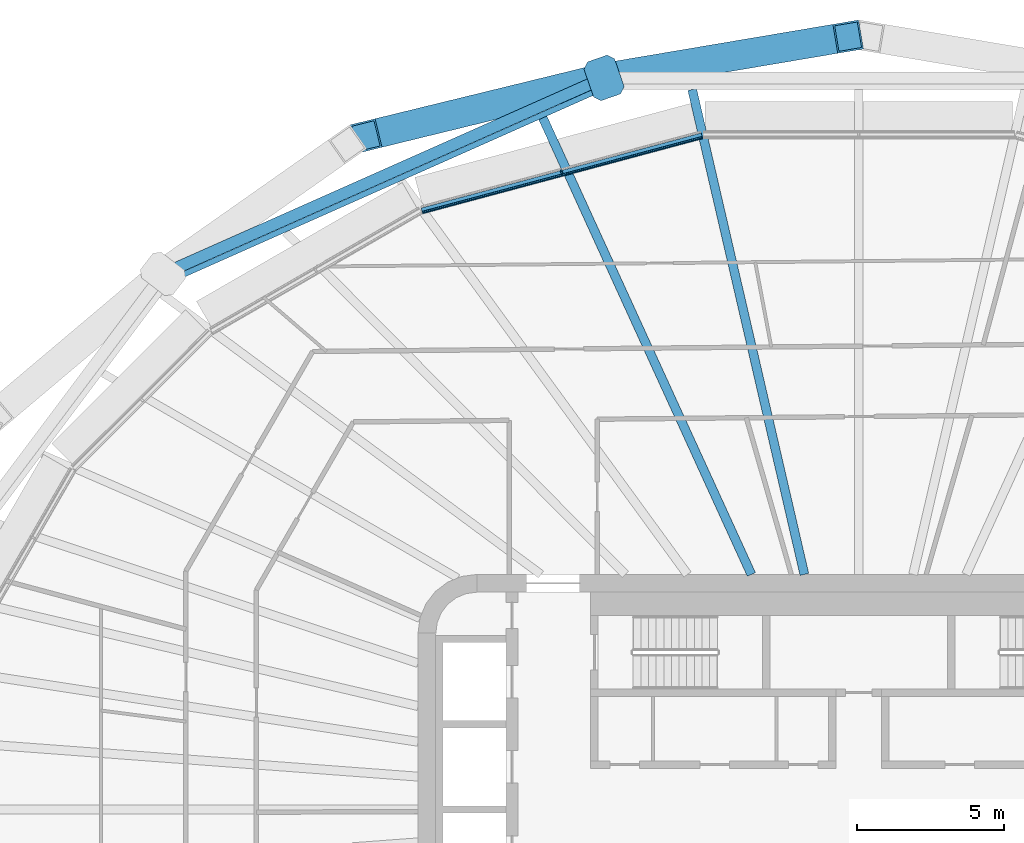
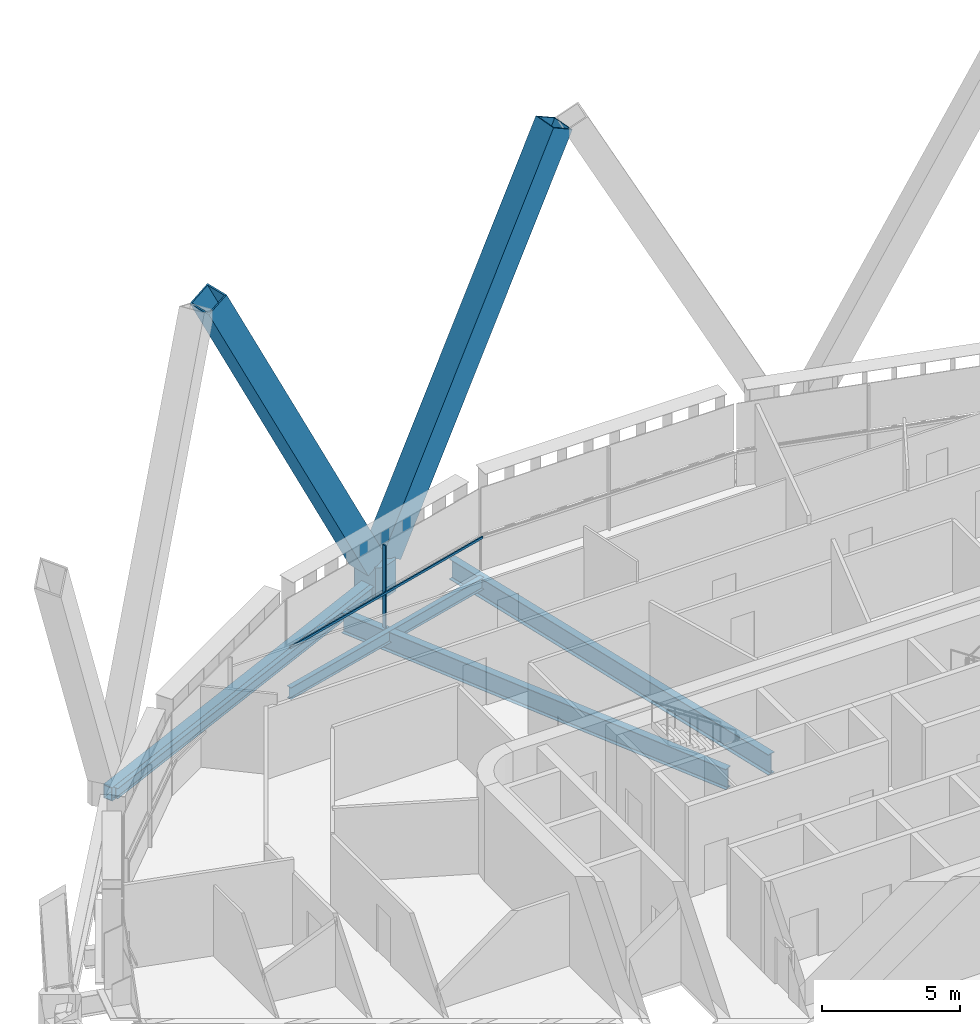
# One storey, part 8 of 25: 5 beams, 5 members, 1 element without a shape of its own.
"""IFC4 building model written with IfcOpenShell, lengths in metres."""

from ifc_helpers import new_model, si_unit, direction, frame, origin, origin_2d, place, context, subcontext, project, spatial, polyline, rectangle, hollow_rectangle, i_section, outline, extrude, material, layer, layer_set, material_profile, profile_set, type_object, element, aggregate, save


model = new_model("IFC4")

# Units and contexts
model_context = context("Model", 3, precision=1e-05, world=origin(), true_north=direction((0.0, 1.0)))
body_context = subcontext(model_context, "Body", "Model", "MODEL_VIEW")
ifc_project = project(units=[si_unit("LENGTHUNIT", "METRE"), si_unit("AREAUNIT", "SQUARE_METRE"), si_unit("VOLUMEUNIT", "CUBIC_METRE"), si_unit("PLANEANGLEUNIT", "RADIAN"), si_unit("MASSUNIT", "GRAM", prefix="KILO")], contexts=[model_context])

# Site, building, storey
site_placement = place(None, origin())
site = spatial("IfcSite", under=ifc_project, at=site_placement, CompositionType="ELEMENT")
building_placement = place(site_placement, origin())
building = spatial("IfcBuilding", under=site, at=building_placement, Name="Sahrelin Media Tower", CompositionType="ELEMENT")
storey_placement = place(building_placement, frame((0.0, 0.0, 63.0)))
storey = spatial("IfcBuildingStorey", under=building, at=storey_placement, Name="L10", CompositionType="ELEMENT", Elevation=63.0)

# Members
ifc_material_1 = material(Name="Steel S460", Category="steel")
ifc_material_profile_1 = material_profile(ifc_material_1, hollow_rectangle(XDim=1.0, YDim=1.0, WallThickness=0.06005859375, at=origin_2d()), Name="Diagrid diagonal DG1")
ifc_profile_set_1 = profile_set([ifc_material_profile_1], Name="Steel S460")
member_type_1 = type_object("IfcMemberType", Name="Diagrid diagonal DG1", PredefinedType="BRACE", material=ifc_profile_set_1)
member_1_placement = place(storey_placement, frame((-8.306640625, 24.960205078125, 0.699951171875), z_axis=(0.457140164592, 0.077255212944, 0.886033014052), x_axis=(-0.166633999123, 0.986018818449, 0.0)))
element("IfcMember", 1, at=member_1_placement, inside=storey, type_object=member_type_1, Name="Diagrid diagonal D01-06", PredefinedType="BRACE", context=body_context, shape_type="SweptSolid", body=[
    extrude(hollow_rectangle(XDim=1.0, YDim=1.0, WallThickness=0.06005859375, at=origin_2d()), origin(), (0.0, 0.0, 1.0), 17.381103515625),
])
member_2_placement = place(storey_placement, frame((-9.020263671875, 24.81298828125, 0.699951171875), z_axis=(-0.447007252146, -0.109235910573, 0.887835588592), x_axis=(0.237386385551, -0.971415309718, 0.0)))
element("IfcMember", 2, at=member_2_placement, inside=storey, type_object=member_type_1, Name="Diagrid diagonal D01-07", PredefinedType="BRACE", context=body_context, shape_type="SweptSolid", body=[
    extrude(hollow_rectangle(XDim=1.0, YDim=1.0, WallThickness=0.06005859375, at=origin_2d()), origin(), (0.0, 0.0, 1.0), 17.345703125),
])
ifc_material_profile_2 = material_profile(ifc_material_1, outline(polyline([(0.5, -0.550048828125), (0.699951171875, -0.35009765625), (0.699951171875, 0.35009765625), (0.5, 0.550048828125), (-0.5, 0.550048828125), (-0.699951171875, 0.35009765625), (-0.699951171875, -0.35009765625), (-0.5, -0.550048828125), (0.5, -0.550048828125)])), Name="Diagrid node block 1400")
ifc_profile_set_2 = profile_set([ifc_material_profile_2], Name="Steel S460")
member_type_2 = type_object("IfcMemberType", Name="Diagrid node block 1400", PredefinedType="USERDEFINED", material=ifc_profile_set_2)
member_3_placement = place(storey_placement, frame((-8.66796875, 24.899169921875, -0.699951171875), z_axis=(0.0, 0.0, 1.0), x_axis=(-0.328769398381, 0.944410230085, 0.0)))
element("IfcMember", 3, at=member_3_placement, inside=storey, type_object=member_type_2, Name="Diagrid node N01-03", ObjectType="NODE", PredefinedType="USERDEFINED", context=body_context, shape_type="SweptSolid", body=[
    extrude(outline(polyline([(0.5, -0.550048828125), (0.699951171875, -0.35009765625), (0.699951171875, 0.35009765625), (0.5, 0.550048828125), (-0.5, 0.550048828125), (-0.699951171875, 0.35009765625), (-0.699951171875, -0.35009765625), (-0.5, -0.550048828125), (0.5, -0.550048828125)])), origin(), (0.0, 0.0, 1.0), 1.39990234375),
])

# Beams
ifc_material_profile_3 = material_profile(ifc_material_1, hollow_rectangle(XDim=0.39990234375, YDim=0.60009765625, WallThickness=0.030029296875, at=origin_2d()), Name="Diagrid ring beam RB1")
ifc_profile_set_3 = profile_set([ifc_material_profile_3], Name="Steel S460")
beam_type_1 = type_object("IfcBeamType", Name="Diagrid ring beam RB1", PredefinedType="BEAM", material=ifc_profile_set_3)
beam_1_placement = place(storey_placement, frame((-8.66796875, 24.899169921875, -0.449951171875), z_axis=(-0.913826255234, -0.406105374558, 0.0), x_axis=(0.406105374558, -0.913826255234, 0.0)))
element("IfcBeam", 4, at=beam_1_placement, inside=storey, type_object=beam_type_1, Name="Diagrid ring beam RB01-03", PredefinedType="BEAM", context=body_context, shape_type="SweptSolid", body=[
    extrude(hollow_rectangle(XDim=0.39990234375, YDim=0.60009765625, WallThickness=0.030029296875, at=origin_2d()), origin(), (0.0, 0.0, 1.0), 16.428955078125),
])
ifc_material_2 = material(Name="Steel S355", Category="steel")
ifc_material_profile_4 = material_profile(ifc_material_2, i_section(OverallWidth=0.208740234375, OverallDepth=0.5283203125, WebThickness=0.009521484375, FlangeThickness=0.01318359375, FilletRadius=0.0126953125, at=origin_2d()), Name="UB 533x210x82")
ifc_profile_set_4 = profile_set([ifc_material_profile_4], Name="Steel S355")
beam_type_2 = type_object("IfcBeamType", Name="Edge beam EB6", PredefinedType="BEAM", material=ifc_profile_set_4)
beam_2_placement = place(storey_placement, frame((-14.86865234375, 20.368408203125, -0.4140625), z_axis=(0.965924759849, 0.258823025079, 0.0), x_axis=(-0.258823025079, 0.965924759849, 0.0)))
element("IfcBeam", 5, at=beam_2_placement, inside=storey, type_object=beam_type_2, Name="Edge beam L10-18", PredefinedType="BEAM", context=body_context, shape_type="SweptSolid", body=[
    extrude(i_section(OverallWidth=0.208740234375, OverallDepth=0.5283203125, WebThickness=0.009521484375, FlangeThickness=0.01318359375, FilletRadius=0.0126953125, at=origin_2d()), origin(), (0.0, 0.0, 1.0), 9.872314453125),
])

# Curtain wall, member
ifc_material_3 = material(Name="Champagne anodised aluminium 6063-T6", Category="aluminium")
ifc_layer = layer(ifc_material_3, 0.14990234375)
ifc_layer_set = layer_set([ifc_layer], Name="Tower ribbon curtain wall")
curtain_wall_type = type_object("IfcCurtainWallType", Name="Tower ribbon curtain wall", PredefinedType="NOTDEFINED", material=ifc_layer_set)
curtain_wall_placement = place(storey_placement, frame((-10.139404296875, 21.791015625, 0.0), z_axis=(0.0, 0.0, 1.0), x_axis=(1.0, 0.0, 0.0)))
curtain_wall = element("IfcCurtainWall", 6, at=curtain_wall_placement, inside=storey, type_object=curtain_wall_type, Name="L10:CW:L10-07", PredefinedType="NOTDEFINED")
ifc_material_profile_5 = material_profile(ifc_material_3, rectangle(XDim=0.06005859375, YDim=0.14990234375, at=origin_2d()), Name="Mullion 60x150")
ifc_profile_set_5 = profile_set([ifc_material_profile_5], Name="Champagne anodised aluminium 6063-T6")
member_type_3 = type_object("IfcMemberType", Name="Mullion 60x150 CW1", PredefinedType="MULLION", material=ifc_profile_set_5)
member_4_placement = place(storey_placement, frame((-10.114990234375, 21.69921875, 0.0), z_axis=(0.0, 0.0, 1.0), x_axis=(-0.965925374563, -0.258820730961, 0.0)))
member_4 = element("IfcMember", 7, at=member_4_placement, type_object=member_type_3, Name="L10:CWM:L10-07", PredefinedType="MULLION", context=body_context, shape_type="SweptSolid", body=[
    extrude(rectangle(XDim=0.06005859375, YDim=0.14990234375, at=origin_2d()), origin(), (0.0, 0.0, 1.0), 3.648681640625),
])

# Beams
ifc_material_profile_6 = material_profile(ifc_material_2, i_section(OverallWidth=0.30322265625, OverallDepth=0.903076171875, WebThickness=0.01513671875, FlangeThickness=0.020263671875, FilletRadius=0.01904296875, at=origin_2d()), Name="UB 914x305x201")
ifc_profile_set_6 = profile_set([ifc_material_profile_6], Name="Steel S355")
beam_type_3 = type_object("IfcBeamType", Name="Radial primary beam PB11", PredefinedType="BEAM", material=ifc_profile_set_6)
beam_3_placement = place(storey_placement, frame((-1.8505859375, 8.0, -0.6015625), z_axis=(-0.225368935068, 0.974273495024, 0.0), x_axis=(-0.974273495024, -0.225368935068, 0.0)))
element("IfcBeam", 8, at=beam_3_placement, inside=storey, type_object=beam_type_3, Name="Radial beam L10-07", PredefinedType="BEAM", context=body_context, shape_type="SweptSolid", body=[
    extrude(i_section(OverallWidth=0.30322265625, OverallDepth=0.903076171875, WebThickness=0.01513671875, FlangeThickness=0.020263671875, FilletRadius=0.01904296875, at=origin_2d()), origin(), (0.0, 0.0, 1.0), 16.939453125),
])
ifc_material_profile_7 = material_profile(ifc_material_2, i_section(OverallWidth=0.30322265625, OverallDepth=0.903076171875, WebThickness=0.01513671875, FlangeThickness=0.020263671875, FilletRadius=0.01904296875, at=origin_2d()), Name="UB 914x305x201")
ifc_profile_set_7 = profile_set([ifc_material_profile_7], Name="Steel S355")
beam_type_4 = type_object("IfcBeamType", Name="Radial secondary beam SB11", PredefinedType="BEAM", material=ifc_profile_set_7)
beam_4_placement = place(storey_placement, frame((-3.654541015625, 8.0, -0.6015625), z_axis=(-0.415516252261, 0.909585754125, 0.0), x_axis=(-0.909585754125, -0.415516252261, 0.0)))
element("IfcBeam", 9, at=beam_4_placement, inside=storey, type_object=beam_type_4, Name="Secondary beam L10-07", PredefinedType="BEAM", context=body_context, shape_type="SweptSolid", body=[
    extrude(i_section(OverallWidth=0.30322265625, OverallDepth=0.903076171875, WebThickness=0.01513671875, FlangeThickness=0.020263671875, FilletRadius=0.01904296875, at=origin_2d()), origin(), (0.0, 0.0, 1.0), 17.08447265625),
])
ifc_material_profile_8 = material_profile(ifc_material_2, i_section(OverallWidth=0.1904296875, OverallDepth=0.45703125, WebThickness=0.009033203125, FlangeThickness=0.014404296875, FilletRadius=0.01025390625, at=origin_2d()), Name="UB 457x191x74")
ifc_profile_set_8 = profile_set([ifc_material_profile_8], Name="Steel S355")
beam_type_5 = type_object("IfcBeamType", Name="Tie chord TC5", PredefinedType="BEAM", material=ifc_profile_set_8)
beam_5_placement = place(storey_placement, frame((-23.48779296875, 17.98486328125, -0.37841796875), z_axis=(0.913831946154, 0.406092568497, 0.0), x_axis=(-0.406092568497, 0.913831946154, 0.0)))
element("IfcBeam", 10, at=beam_5_placement, inside=storey, type_object=beam_type_5, Name="Tie chord L10-09", PredefinedType="BEAM", context=body_context, shape_type="SweptSolid", body=[
    extrude(i_section(OverallWidth=0.1904296875, OverallDepth=0.45703125, WebThickness=0.009033203125, FlangeThickness=0.014404296875, FilletRadius=0.01025390625, at=origin_2d()), origin(), (0.0, 0.0, 1.0), 16.286865234375),
])

# Member
ifc_material_profile_9 = material_profile(ifc_material_3, rectangle(XDim=0.050048828125, YDim=0.10009765625, at=origin_2d()), Name="Transom 50x100")
ifc_profile_set_9 = profile_set([ifc_material_profile_9], Name="Champagne anodised aluminium 6063-T6")
member_type_4 = type_object("IfcMemberType", Name="Transom 50x100 CW1", PredefinedType="USERDEFINED", material=ifc_profile_set_9)
member_5_placement = place(storey_placement, frame((-5.336181640625, 22.876220703125, 1.60009765625), z_axis=(-0.965923356593, -0.258828261958, 0.0), x_axis=(0.258828261958, -0.965923356593, 0.0)))
member_5 = element("IfcMember", 11, at=member_5_placement, type_object=member_type_4, Name="L10:CWT:L10-07", ObjectType="TRANSOM", PredefinedType="USERDEFINED", context=body_context, shape_type="SweptSolid", body=[
    extrude(rectangle(XDim=0.050048828125, YDim=0.10009765625, at=origin_2d()), origin(), (0.0, 0.0, 1.0), 9.841064453125),
])

aggregate(curtain_wall, [member_4, member_5])

save(model, "model.ifc")
